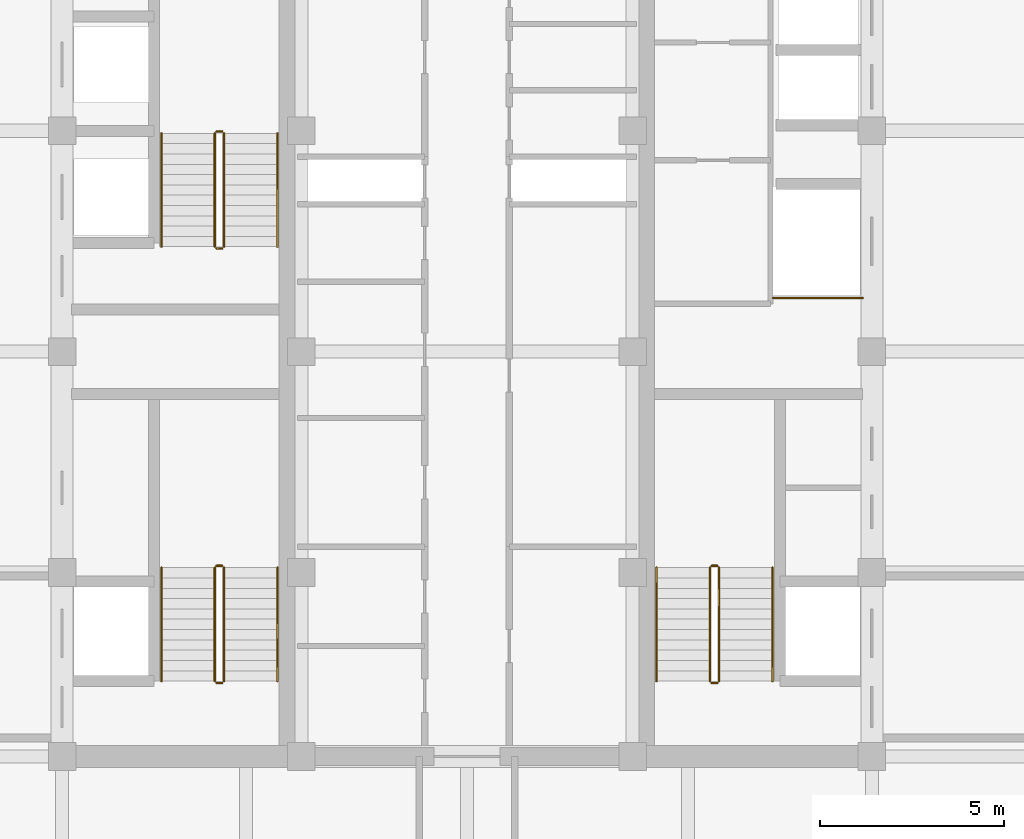
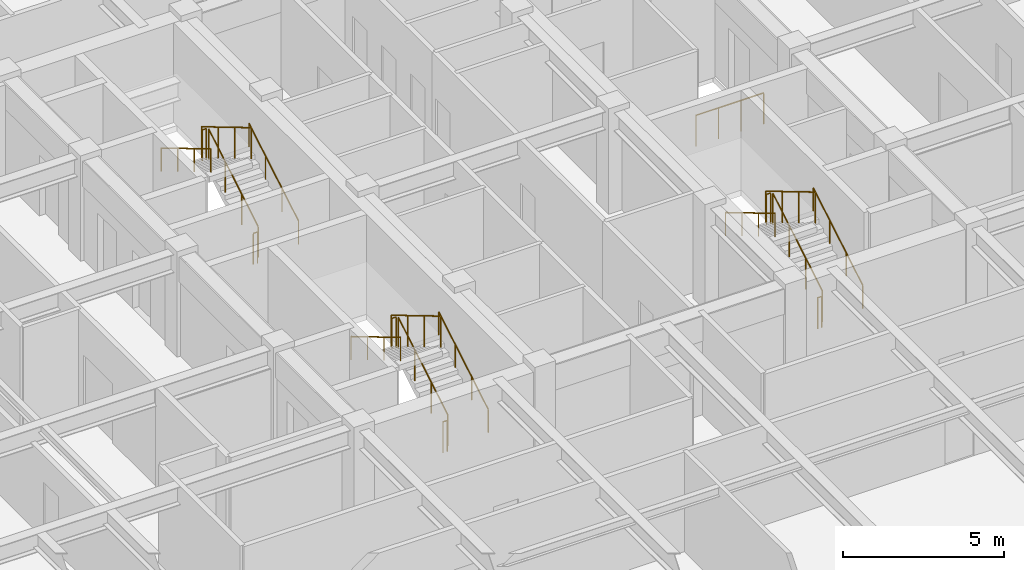
# One storey, part 22 of 22: 19 railings.
"""IFC4 building model written with IfcOpenShell, lengths in metres."""

from ifc_helpers import new_model, si_unit, direction, frame, origin, origin_2d, place, context, subcontext, project, spatial, circle, extrude, source, transform, mapped, material, type_object, element, save


model = new_model("IFC4")

# Units and contexts
model_context = context("Model", 3, precision=1e-05, world=origin(), true_north=direction((0.0, 1.0)))
body_context = subcontext(model_context, "Body", "Model", "MODEL_VIEW")
ifc_project = project(units=[si_unit("LENGTHUNIT", "METRE"), si_unit("AREAUNIT", "SQUARE_METRE"), si_unit("VOLUMEUNIT", "CUBIC_METRE"), si_unit("PLANEANGLEUNIT", "RADIAN"), si_unit("MASSUNIT", "GRAM", prefix="KILO")], contexts=[model_context])

# Site, building, storey
site_placement = place(None, origin())
site = spatial("IfcSite", under=ifc_project, at=site_placement, CompositionType="ELEMENT")
building_placement = place(site_placement, origin())
building = spatial("IfcBuilding", under=site, at=building_placement, Name="Khorayat Bourse Tower", CompositionType="ELEMENT")
storey_placement = place(building_placement, frame((0.0, 0.0, 301.5)))
storey = spatial("IfcBuildingStorey", under=building, at=storey_placement, Name="L71", CompositionType="ELEMENT", Elevation=301.5)

# Railings
ifc_material_1 = material(Name="Powder-coated steel balustrade", Category="steel")
railing_type_1 = type_object("IfcRailingType", Name="RLG-GUARD-1200", PredefinedType="GUARDRAIL", material=ifc_material_1)
shared_shape_1 = source(origin(), body_context, "Body", "SweptSolid", [
    extrude(circle(Radius=0.02392578125, at=origin_2d()), frame((0.0, 0.0, 1.17578125), z_axis=(-1.0, 0.0, 0.0), x_axis=(0.0, -1.0, 0.0)), (0.0, 0.0, 1.0), 0.150146484375),
    extrude(circle(Radius=0.02099609375, at=origin_2d()), origin(), (0.0, 0.0, 1.0), 1.15185546875),
    extrude(circle(Radius=0.02099609375, at=origin_2d()), frame((-0.150146484375, 0.0, 0.0)), (0.0, 0.0, 1.0), 1.15185546875),
])
for number, where, name in (
    (1, (-6.64990234375, -5.820068359375, 2.0), "L71 ST-1 stair guard 2"),
    (2, (-6.64990234375, -9.0, 0.0), "L71 ST-1 stair guard 4"),
    (3, (-6.64990234375, 5.97998046875, 2.0), "L71 ST-2 stair guard 2"),
    (4, (-6.64990234375, 2.800048828125, 0.0), "L71 ST-2 stair guard 4"),
    (5, (6.800048828125, -5.820068359375, 2.0), "L71 ST-3 stair guard 2"),
    (6, (6.800048828125, -9.0, 0.0), "L71 ST-3 stair guard 4"),
):
    element("IfcRailing", number, at=place(storey_placement, frame(where)), inside=storey, type_object=railing_type_1, Name=name, PredefinedType="GUARDRAIL", context=body_context, shape_type="MappedRepresentation", body=[
        mapped(shared_shape_1, transform((0.0, 0.0, 0.0), scale=1.0)),
    ])
shared_shape_2 = source(origin(), body_context, "Body", "SweptSolid", [
    extrude(circle(Radius=0.02392578125, at=origin_2d()), frame((0.0, 0.0, 1.17578125), z_axis=(0.0, 0.859290745958, 0.51148745235), x_axis=(-1.0, 0.0, 0.0)), (0.0, 0.0, 1.0), 3.584228515625),
    extrude(circle(Radius=0.02099609375, at=origin_2d()), origin(), (0.0, 0.0, 1.0), 1.15185546875),
    extrude(circle(Radius=0.02099609375, at=origin_2d()), frame((0.0, 1.026611328125, 0.611083984375)), (0.0, 0.0, 1.0), 1.15185546875),
    extrude(circle(Radius=0.02099609375, at=origin_2d()), frame((0.0, 2.05322265625, 1.22216796875)), (0.0, 0.0, 1.0), 1.15185546875),
    extrude(circle(Radius=0.02099609375, at=origin_2d()), frame((0.0, 3.079833984375, 1.833251953125)), (0.0, 0.0, 1.0), 1.15185546875),
])
for number, where, name in (
    (7, (-6.60009765625, -8.949951171875, 0.166748046875), "L71 ST-1 stair guard 1"),
    (8, (-6.60009765625, 2.85009765625, 0.166748046875), "L71 ST-2 stair guard 1"),
    (9, (6.85009765625, -8.949951171875, 0.166748046875), "L71 ST-3 stair guard 1"),
):
    element("IfcRailing", number, at=place(storey_placement, frame(where)), inside=storey, type_object=railing_type_1, Name=name, PredefinedType="GUARDRAIL", context=body_context, shape_type="MappedRepresentation", body=[
        mapped(shared_shape_2, transform((0.0, 0.0, 0.0), scale=1.0)),
    ])
shared_shape_3 = source(origin(), body_context, "Body", "SweptSolid", [
    extrude(circle(Radius=0.02392578125, at=origin_2d()), frame((0.0, 0.0, 1.17578125), z_axis=(0.0, -0.859290745958, 0.51148745235), x_axis=(1.0, 0.0, 0.0)), (0.0, 0.0, 1.0), 3.584228515625),
    extrude(circle(Radius=0.02099609375, at=origin_2d()), origin(), (0.0, 0.0, 1.0), 1.15185546875),
    extrude(circle(Radius=0.02099609375, at=origin_2d()), frame((0.0, -1.026611328125, 0.611083984375)), (0.0, 0.0, 1.0), 1.15185546875),
    extrude(circle(Radius=0.02099609375, at=origin_2d()), frame((0.0, -2.05322265625, 1.22216796875)), (0.0, 0.0, 1.0), 1.15185546875),
    extrude(circle(Radius=0.02099609375, at=origin_2d()), frame((0.0, -3.079833984375, 1.833251953125)), (0.0, 0.0, 1.0), 1.15185546875),
])
for number, where, name in (
    (10, (-6.85009765625, -5.8701171875, 2.166748046875), "L71 ST-1 stair guard 3"),
    (11, (-6.85009765625, 5.929931640625, 2.166748046875), "L71 ST-2 stair guard 3"),
    (12, (6.60009765625, -5.8701171875, 2.166748046875), "L71 ST-3 stair guard 3"),
):
    element("IfcRailing", number, at=place(storey_placement, frame(where)), inside=storey, type_object=railing_type_1, Name=name, PredefinedType="GUARDRAIL", context=body_context, shape_type="MappedRepresentation", body=[
        mapped(shared_shape_3, transform((0.0, 0.0, 0.0), scale=1.0)),
    ])
ifc_material_2 = material(Name="Brushed bronze stainless-steel handrail", Category="steel")
railing_type_2 = type_object("IfcRailingType", Name="RLG-HAND-900", PredefinedType="HANDRAIL", material=ifc_material_2)
shared_shape_4 = source(origin(), body_context, "Body", "SweptSolid", [
    extrude(circle(Radius=0.02392578125, at=origin_2d()), frame((0.0, 0.0, 0.8759765625), z_axis=(0.0, 0.859290745958, 0.51148745235), x_axis=(-1.0, 0.0, 0.0)), (0.0, 0.0, 1.0), 3.584228515625),
    extrude(circle(Radius=0.02099609375, at=origin_2d()), origin(), (0.0, 0.0, 1.0), 0.851806640625),
    extrude(circle(Radius=0.02099609375, at=origin_2d()), frame((0.0, 1.026611328125, 0.611083984375)), (0.0, 0.0, 1.0), 0.851806640625),
    extrude(circle(Radius=0.02099609375, at=origin_2d()), frame((0.0, 2.05322265625, 1.22216796875)), (0.0, 0.0, 1.0), 0.851806640625),
    extrude(circle(Radius=0.02099609375, at=origin_2d()), frame((0.0, 3.079833984375, 1.833251953125)), (0.0, 0.0, 1.0), 0.851806640625),
])
for number, where, name in (
    (13, (-5.14990234375, -8.949951171875, 0.166748046875), "L71 ST-1 stair handrail 1"),
    (14, (-5.14990234375, 2.85009765625, 0.166748046875), "L71 ST-2 stair handrail 1"),
    (15, (8.300048828125, -8.949951171875, 0.166748046875), "L71 ST-3 stair handrail 1"),
):
    element("IfcRailing", number, at=place(storey_placement, frame(where)), inside=storey, type_object=railing_type_2, Name=name, PredefinedType="HANDRAIL", context=body_context, shape_type="MappedRepresentation", body=[
        mapped(shared_shape_4, transform((0.0, 0.0, 0.0), scale=1.0)),
    ])
shared_shape_5 = source(origin(), body_context, "Body", "SweptSolid", [
    extrude(circle(Radius=0.02392578125, at=origin_2d()), frame((0.0, 0.0, 0.8759765625), z_axis=(0.0, -0.859290745958, 0.51148745235), x_axis=(1.0, 0.0, 0.0)), (0.0, 0.0, 1.0), 3.584228515625),
    extrude(circle(Radius=0.02099609375, at=origin_2d()), origin(), (0.0, 0.0, 1.0), 0.851806640625),
    extrude(circle(Radius=0.02099609375, at=origin_2d()), frame((0.0, -1.026611328125, 0.611083984375)), (0.0, 0.0, 1.0), 0.851806640625),
    extrude(circle(Radius=0.02099609375, at=origin_2d()), frame((0.0, -2.05322265625, 1.22216796875)), (0.0, 0.0, 1.0), 0.851806640625),
    extrude(circle(Radius=0.02099609375, at=origin_2d()), frame((0.0, -3.079833984375, 1.833251953125)), (0.0, 0.0, 1.0), 0.851806640625),
])
for number, where, name in (
    (16, (-8.300048828125, -5.8701171875, 2.166748046875), "L71 ST-1 stair handrail 2"),
    (17, (-8.300048828125, 5.929931640625, 2.166748046875), "L71 ST-2 stair handrail 2"),
    (18, (5.14990234375, -5.8701171875, 2.166748046875), "L71 ST-3 stair handrail 2"),
):
    element("IfcRailing", number, at=place(storey_placement, frame(where)), inside=storey, type_object=railing_type_2, Name=name, PredefinedType="HANDRAIL", context=body_context, shape_type="MappedRepresentation", body=[
        mapped(shared_shape_5, transform((0.0, 0.0, 0.0), scale=1.0)),
    ])
shared_shape_6 = source(origin(), body_context, "Body", "SweptSolid", [
    extrude(circle(Radius=0.02392578125, at=origin_2d()), frame((0.0, 0.0, 1.17578125), z_axis=(1.0, 0.0, 0.0), x_axis=(0.0, 1.0, 0.0)), (0.0, 0.0, 1.0), 2.429931640625),
    extrude(circle(Radius=0.02099609375, at=origin_2d()), origin(), (0.0, 0.0, 1.0), 1.15185546875),
    extrude(circle(Radius=0.02099609375, at=origin_2d()), frame((0.81005859375, 0.0, 0.0)), (0.0, 0.0, 1.0), 1.15185546875),
    extrude(circle(Radius=0.02099609375, at=origin_2d()), frame((1.619873046875, 0.0, 0.0)), (0.0, 0.0, 1.0), 1.15185546875),
    extrude(circle(Radius=0.02099609375, at=origin_2d()), frame((2.429931640625, 0.0, 0.0)), (0.0, 0.0, 1.0), 1.15185546875),
])
railing_placement = place(storey_placement, frame((8.320068359375, 1.4599609375, 0.0)))
element("IfcRailing", 19, at=railing_placement, inside=storey, type_object=railing_type_1, Name="L71 Goods Shaft Opening Guardrail", PredefinedType="GUARDRAIL", context=body_context, shape_type="MappedRepresentation", body=[
    mapped(shared_shape_6, transform((0.0, 0.0, 0.0), scale=1.0)),
])

save(model, "model.ifc")
